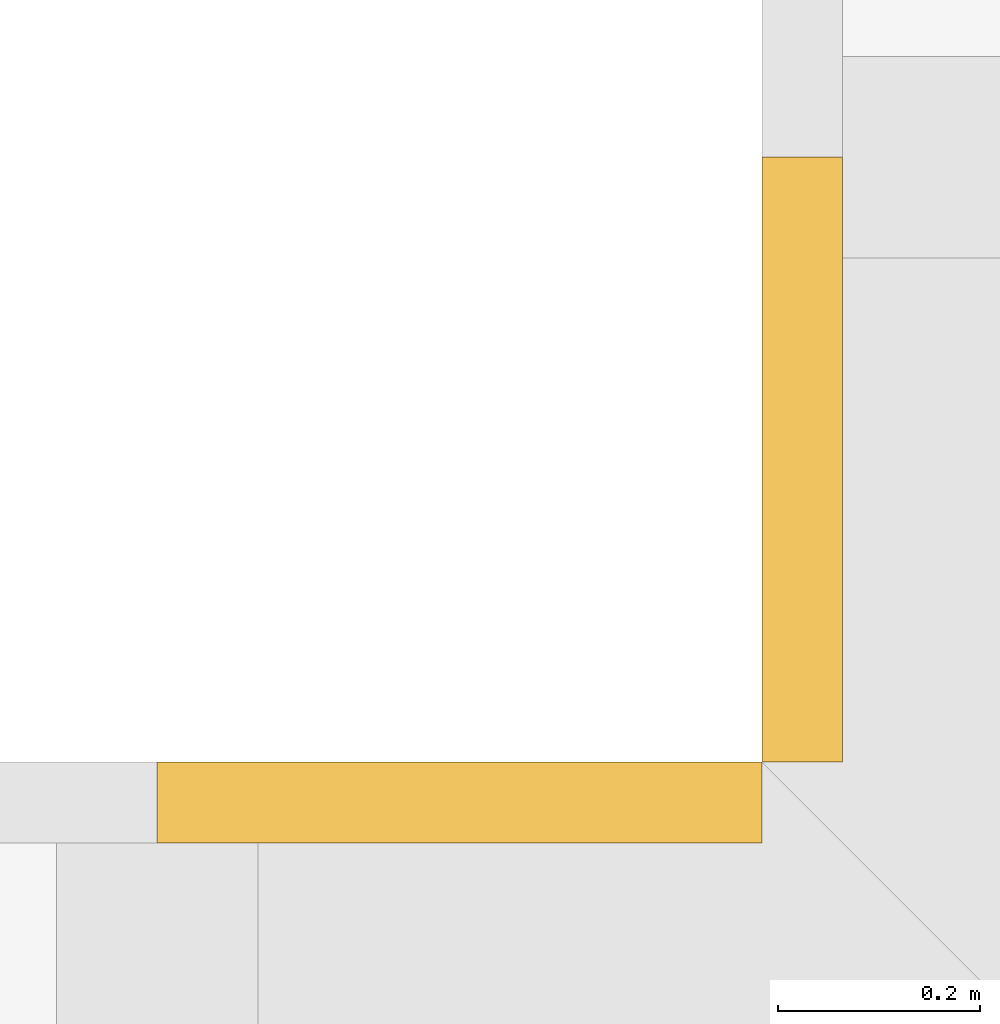
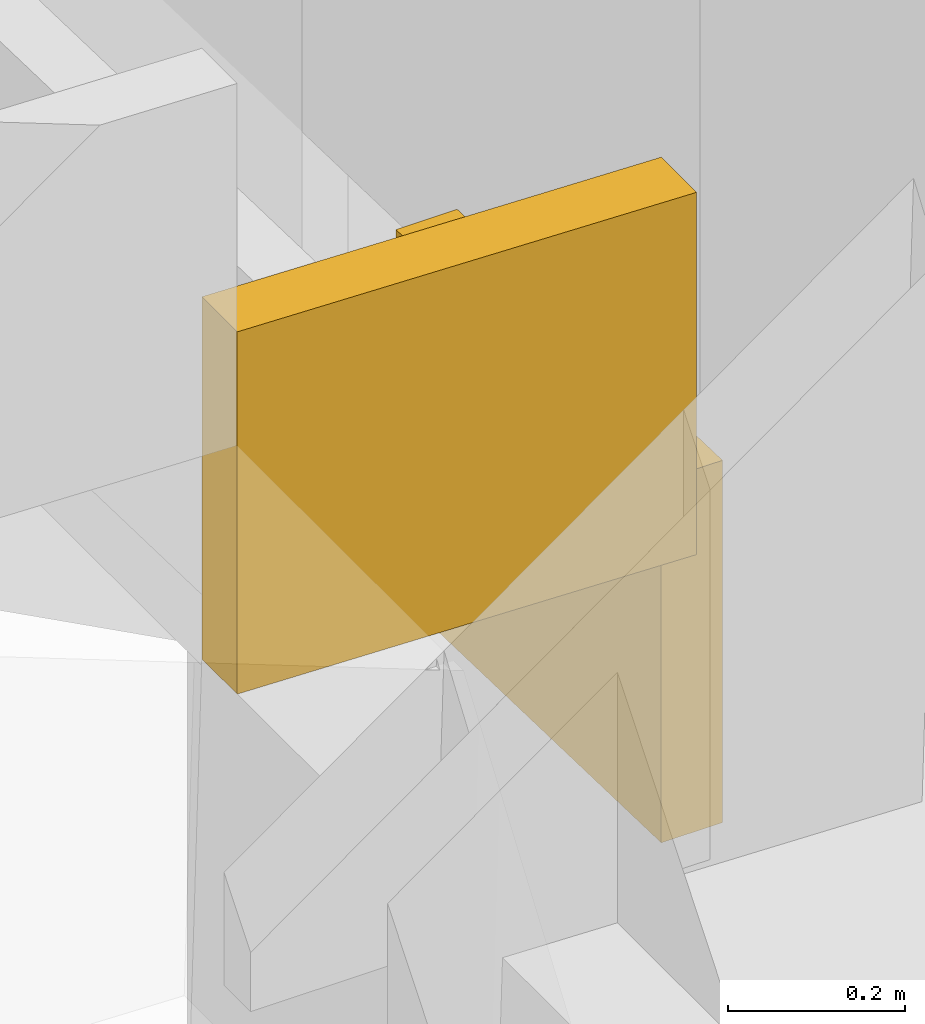
# One storey, part 29 of 30: 2 coverings.
"""IFC4 building model written with IfcOpenShell, lengths in metres."""

from ifc_helpers import new_model, si_unit, direction, frame, origin, place, context, subcontext, project, spatial, polyline, outline, extrude, material, layer, layer_set, type_object, element, save


model = new_model("IFC4")

# Units and contexts
model_context = context("Model", 3, precision=1e-05, world=origin(), true_north=direction((0.0, 1.0)))
body_context = subcontext(model_context, "Body", "Model", "MODEL_VIEW")
ifc_project = project(units=[si_unit("LENGTHUNIT", "METRE"), si_unit("AREAUNIT", "SQUARE_METRE"), si_unit("VOLUMEUNIT", "CUBIC_METRE"), si_unit("PLANEANGLEUNIT", "RADIAN"), si_unit("MASSUNIT", "GRAM", prefix="KILO")], contexts=[model_context])

# Site, building, storey
site_placement = place(None, origin())
site = spatial("IfcSite", under=ifc_project, at=site_placement, CompositionType="ELEMENT")
building_placement = place(site_placement, origin())
building = spatial("IfcBuilding", under=site, at=building_placement, Name="Saffron Gate Tower", CompositionType="ELEMENT")
storey_placement = place(building_placement, frame((0.0, 0.0, 216.300048828125)))
storey = spatial("IfcBuildingStorey", under=building, at=storey_placement, Name="L52", CompositionType="ELEMENT", Elevation=216.300048828125)

# Coverings
ifc_material = material(Name="Timber, thermally modified ash", Category="wood")
ifc_layer = layer(ifc_material, 0.080078125)
ifc_layer_set = layer_set([ifc_layer], Name="LD2 ledge planter trough")
covering_type = type_object("IfcCoveringType", Name="LD2 ledge planter trough", PredefinedType="CLADDING", material=ifc_layer_set)
covering_1_placement = place(storey_placement, frame((50.39990234375, 73.800048828125, 2.56591796875), z_axis=(-1.0, 0.0, 0.0), x_axis=(0.0, -0.999583081391, 0.028873229772)))
element("IfcCovering", 1, at=covering_1_placement, inside=storey, type_object=covering_type, Name="LEDGE planter trough", PredefinedType="CLADDING", context=body_context, shape_type="SweptSolid", body=[
    extrude(outline(polyline([(0.0, 0.0), (0.6003479524834376, -3.469446951953614e-18), (0.6147845673692678, 0.4997915406953566), (0.014436614885830073, 0.4997915406953566), (0.0, 0.0)])), origin(), (0.0, 0.0, -1.0), 0.080078125),
])
covering_2_placement = place(storey_placement, frame((50.39990234375, 73.199951171875, 3.02978515625), z_axis=(0.0, 1.0, 0.0), x_axis=(-0.999582742162, 0.0, 0.028884971385)))
element("IfcCovering", 2, at=covering_2_placement, inside=storey, type_object=covering_type, Name="LEDGE planter trough", PredefinedType="CLADDING", context=body_context, shape_type="SweptSolid", body=[
    extrude(outline(polyline([(0.0, 0.0), (0.6001039136866089, 0.0), (0.614546399379222, 0.4997913710809928), (0.014442485692613144, 0.49979137108099286), (0.0, 0.0)])), origin(), (0.0, 0.0, -1.0), 0.080078125),
])

save(model, "model.ifc")
